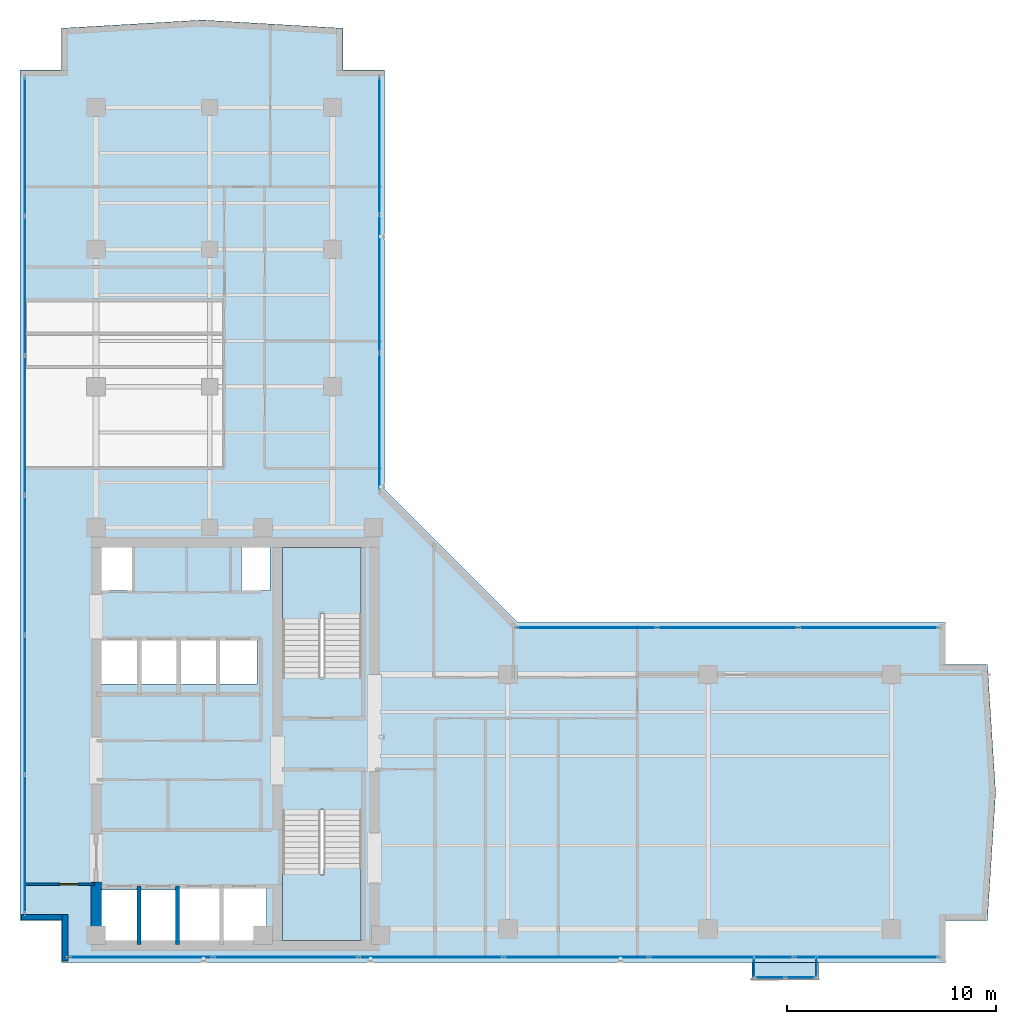
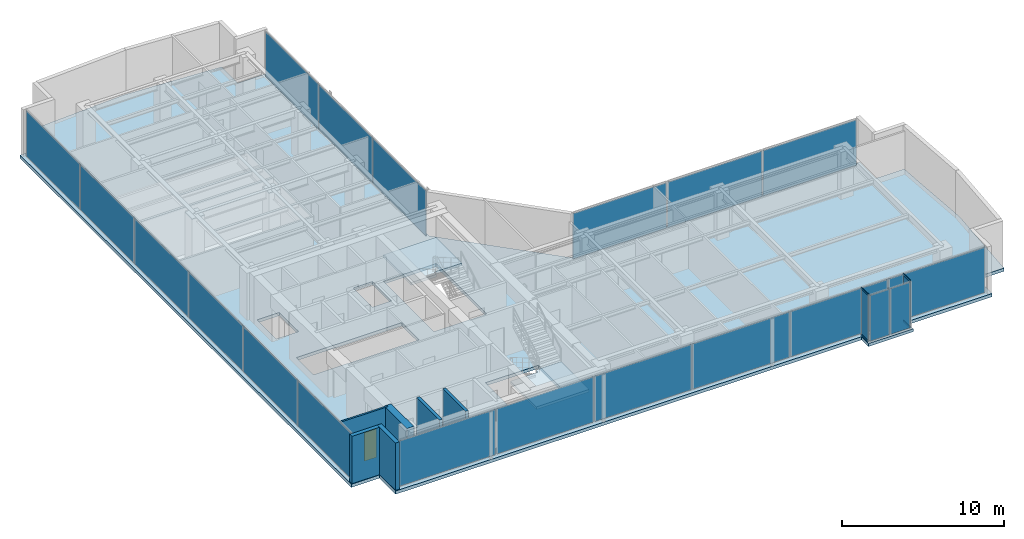
# One storey, part 15 of 23: 22 plates, 6 walls, 4 members, 4 slabs, 1 door, 1 opening, 9 elements without a shape of their own.
"""IFC4 building model written with IfcOpenShell, lengths in metres."""

from ifc_helpers import new_model, si_unit, direction, frame, frame_2d, origin, origin_with_axes, origin_2d, place, context, subcontext, project, spatial, polyline, rectangle, hollow_rectangle, outline, extrude, source, transform, mapped, material, layer, layer_set, material_profile, profile_set, type_object, element, fill, aggregate, save


model = new_model("IFC4")

# Units and contexts
model_context = context("Model", 3, precision=1e-05, world=origin(), true_north=direction((0.0, 1.0)))
body_context = subcontext(model_context, "Body", "Model", "MODEL_VIEW")
ifc_project = project(units=[si_unit("LENGTHUNIT", "METRE"), si_unit("AREAUNIT", "SQUARE_METRE"), si_unit("VOLUMEUNIT", "CUBIC_METRE"), si_unit("PLANEANGLEUNIT", "RADIAN"), si_unit("MASSUNIT", "GRAM", prefix="KILO")], contexts=[model_context])

# Site, building, storey
site_placement = place(None, origin())
site = spatial("IfcSite", under=ifc_project, at=site_placement, CompositionType="ELEMENT")
building_placement = place(site_placement, origin())
building = spatial("IfcBuilding", under=site, at=building_placement, Name="Kolvaren Waterfront Exchange", CompositionType="ELEMENT")
storey_placement = place(building_placement, frame((0.0, 0.0, 304.60009765625)))
storey = spatial("IfcBuildingStorey", under=building, at=storey_placement, Name="L78", CompositionType="ELEMENT", Elevation=304.60009765625)

# Curtain wall, members
ifc_material_1 = material(Name="Anodised bronze aluminium 6063-T6", Category="aluminium")
ifc_layer_1 = layer(ifc_material_1, 0.219970703125, Name="Anodised bronze aluminium 6063-T6")
ifc_layer_set_1 = layer_set([ifc_layer_1], Name="Anodised bronze aluminium 6063-T6")
curtain_wall_type_1 = type_object("IfcCurtainWallType", Name="ARC-CW-SYS3", PredefinedType="USERDEFINED", material=ifc_layer_set_1)
curtain_wall_1_placement = place(storey_placement, origin())
curtain_wall_1 = element("IfcCurtainWall", 1, at=curtain_wall_1_placement, inside=storey, type_object=curtain_wall_type_1, Name="L78 stick curtain wall CW3 (CW-L78-BOX-W)", ObjectType="STICK CURTAIN WALL", PredefinedType="USERDEFINED")
ifc_material_profile = material_profile(ifc_material_1, hollow_rectangle(XDim=0.06494140625, YDim=0.1298828125, WallThickness=0.00390625, at=origin_2d()), Name="ALU-TRN-130x65x4")
ifc_profile_set = profile_set([ifc_material_profile], Name="Anodised bronze aluminium 6063-T6")
member_type = type_object("IfcMemberType", Name="ARC-CWT-130", PredefinedType="USERDEFINED", material=ifc_profile_set)
shared_shape_1 = source(origin_with_axes(), body_context, "Body", "SweptSolid", [
    extrude(hollow_rectangle(XDim=0.06494140625, YDim=0.1298828125, WallThickness=0.00390625, at=origin_2d()), origin(), (0.0, 0.0, 1.0), 0.829833984375),
])
member_1_placement = place(storey_placement, frame((39.010009765625, 3.764892578125, 0.032470703125), z_axis=(0.0, -1.0, 0.0), x_axis=(1.0, 0.0, 0.0)))
member_1 = element("IfcMember", 2, at=member_1_placement, type_object=member_type, Name="CW3 transom 1.1", ObjectType="TRANSOM", PredefinedType="USERDEFINED", context=body_context, shape_type="MappedRepresentation", body=[
    mapped(shared_shape_1, transform((0.0, 0.0, 0.0), x_axis=(1.0, 0.0, 0.0), y_axis=(0.0, 1.0, 0.0), z_axis=(0.0, 0.0, 1.0), scale=1.0)),
])
member_2_placement = place(storey_placement, frame((39.010009765625, 3.764892578125, 3.52734375), z_axis=(0.0, -1.0, 0.0), x_axis=(1.0, 0.0, 0.0)))
member_2 = element("IfcMember", 3, at=member_2_placement, type_object=member_type, Name="CW3 transom 1.2", ObjectType="TRANSOM", PredefinedType="USERDEFINED", context=body_context, shape_type="MappedRepresentation", body=[
    mapped(shared_shape_1, transform((0.0, 0.0, 0.0), x_axis=(1.0, 0.0, 0.0), y_axis=(0.0, 1.0, 0.0), z_axis=(0.0, 0.0, 1.0), scale=1.0)),
])

curtain_wall_2_placement = place(storey_placement, origin())
curtain_wall_2 = element("IfcCurtainWall", 4, at=curtain_wall_2_placement, inside=storey, type_object=curtain_wall_type_1, Name="L78 stick curtain wall CW3 (CW-L78-BOX-E)", ObjectType="STICK CURTAIN WALL", PredefinedType="USERDEFINED")
member_3_placement = place(storey_placement, frame((41.989990234375, 2.93505859375, 0.032470703125), z_axis=(0.0, 1.0, 0.0), x_axis=(-1.0, 0.0, 0.0)))
member_3 = element("IfcMember", 5, at=member_3_placement, type_object=member_type, Name="CW3 transom 1.1", ObjectType="TRANSOM", PredefinedType="USERDEFINED", context=body_context, shape_type="MappedRepresentation", body=[
    mapped(shared_shape_1, transform((0.0, 0.0, 0.0), x_axis=(1.0, 0.0, 0.0), y_axis=(0.0, 1.0, 0.0), z_axis=(0.0, 0.0, 1.0), scale=1.0)),
])
member_4_placement = place(storey_placement, frame((41.989990234375, 2.93505859375, 3.52734375), z_axis=(0.0, 1.0, 0.0), x_axis=(-1.0, 0.0, 0.0)))
member_4 = element("IfcMember", 6, at=member_4_placement, type_object=member_type, Name="CW3 transom 1.2", ObjectType="TRANSOM", PredefinedType="USERDEFINED", context=body_context, shape_type="MappedRepresentation", body=[
    mapped(shared_shape_1, transform((0.0, 0.0, 0.0), x_axis=(1.0, 0.0, 0.0), y_axis=(0.0, 1.0, 0.0), z_axis=(0.0, 0.0, 1.0), scale=1.0)),
])

# Stair, slab
ifc_material_2 = material(Name="Concrete C40/50", Category="concrete")
stair_type = type_object("IfcStairType", Name="ARC-STAIR-3800", PredefinedType="HALF_TURN_STAIR", material=ifc_material_2)
stair_1_placement = place(storey_placement, origin())
stair_1 = element("IfcStair", 7, at=stair_1_placement, inside=storey, type_object=stair_type, Name="L78 Smoke-proof exit stair ST1", PredefinedType="HALF_TURN_STAIR")
ifc_layer_2 = layer(ifc_material_2, 0.199951171875, Name="Concrete C40/50")
ifc_layer_set_2 = layer_set([ifc_layer_2], Name="Concrete C40/50")
slab_type_1 = type_object("IfcSlabType", Name="STR-LANDING-200", PredefinedType="LANDING", material=ifc_layer_set_2)
slab_1_placement = place(storey_placement, frame((0.0, 0.0, 1.77587890625)))
slab_1 = element("IfcSlab", 8, at=slab_1_placement, type_object=slab_type_1, Name="ST1 landing 1", PredefinedType="LANDING", context=body_context, shape_type="SweptSolid", body=[
    extrude(outline(polyline([(16.39990234375, 7.840087890625), (16.39990234375, 4.64990234375), (20.159912109375, 4.64990234375), (20.159912109375, 8.10009765625), (18.360107421875, 8.10009765625), (18.360107421875, 7.840087890625), (16.39990234375, 7.840087890625)])), origin(), (0.0, 0.0, 1.0), 0.199951171875),
])
aggregate(stair_1, [slab_1])

stair_2_placement = place(storey_placement, origin())
stair_2 = element("IfcStair", 9, at=stair_2_placement, inside=storey, type_object=stair_type, Name="L78 Smoke-proof exit stair ST2", PredefinedType="HALF_TURN_STAIR")
slab_2_placement = place(storey_placement, frame((0.0, 0.0, 1.77587890625)))
slab_2 = element("IfcSlab", 10, at=slab_2_placement, type_object=slab_type_1, Name="ST2 landing 1", PredefinedType="LANDING", context=body_context, shape_type="SweptSolid", body=[
    extrude(outline(polyline([(20.159912109375, 20.31005859375), (20.159912109375, 23.5), (16.39990234375, 23.5), (16.39990234375, 20.050048828125), (18.199951171875, 20.050048828125), (18.199951171875, 20.31005859375), (20.159912109375, 20.31005859375)])), origin(), (0.0, 0.0, 1.0), 0.199951171875),
])
aggregate(stair_2, [slab_2])

# Slabs
ifc_layer_3 = layer(ifc_material_2, 0.239990234375, Name="Concrete C40/50")
ifc_layer_set_3 = layer_set([ifc_layer_3], Name="Concrete C40/50")
slab_type_2 = type_object("IfcSlabType", Name="STR-SLAB-240", PredefinedType="FLOOR", material=ifc_layer_set_3)
slab_3_placement = place(storey_placement, frame((0.0, 0.0, -0.239990234375)))
element("IfcSlab", 11, at=slab_3_placement, inside=storey, type_object=slab_type_2, Name="L78 structural floor slab", PredefinedType="FLOOR", context=body_context, shape_type="SweptSolid", body=[
    extrude(outline(polyline([(5.800048828125, 3.60009765625), (48.194580078125, 3.60009765625), (48.194580078125, 5.60009765625), (50.194580078125, 5.60009765625), (50.58935546875, 11.7421875), (50.194580078125, 17.88427734375), (48.194580078125, 17.88427734375), (48.194580078125, 19.88427734375), (27.68408203125, 19.88427734375), (21.2841796875, 26.2841796875), (21.2841796875, 46.394775390625), (19.2841796875, 46.394775390625), (19.2841796875, 48.394775390625), (12.5419921875, 48.789306640625), (5.800048828125, 48.394775390625), (5.800048828125, 46.394775390625), (3.800048828125, 46.394775390625), (3.800048828125, 5.60009765625), (5.800048828125, 5.60009765625), (5.800048828125, 3.60009765625)]), holes=[polyline([(11.320068359375, 7.260009765625), (15.610107421875, 7.260009765625), (15.610107421875, 4.5400390625), (7.719970703125, 4.5400390625), (7.719970703125, 7.06005859375), (11.320068359375, 7.06005859375), (11.320068359375, 7.260009765625)]), polyline([(20.159912109375, 10.89990234375), (20.159912109375, 4.64990234375), (16.39990234375, 4.64990234375), (16.39990234375, 10.89990234375), (20.159912109375, 10.89990234375)]), polyline([(7.669921875, 19.06005859375), (15.159912109375, 19.06005859375), (15.159912109375, 16.93994140625), (7.669921875, 16.93994140625), (7.669921875, 19.06005859375)]), polyline([(16.39990234375, 17.25), (16.39990234375, 23.5), (20.159912109375, 23.5), (20.159912109375, 17.25), (16.39990234375, 17.25)]), polyline([(7.60009765625, 23.780029296875), (9.179931640625, 23.780029296875), (9.179931640625, 21.419921875), (7.60009765625, 21.419921875), (7.60009765625, 23.780029296875)]), polyline([(14.419921875, 23.780029296875), (15.800048828125, 23.780029296875), (15.800048828125, 21.419921875), (14.419921875, 21.419921875), (14.419921875, 23.780029296875)])]), origin(), (0.0, 0.0, 1.0), 0.239990234375),
])
ifc_layer_4 = layer(ifc_material_2, 0.219970703125, Name="Concrete C40/50")
ifc_layer_set_4 = layer_set([ifc_layer_4], Name="Concrete C40/50")
slab_type_3 = type_object("IfcSlabType", Name="STR-TERR-220", PredefinedType="FLOOR", material=ifc_layer_set_4)
slab_4_placement = place(storey_placement, frame((0.0, 0.0, -0.22021484375)))
element("IfcSlab", 12, at=slab_4_placement, inside=storey, type_object=slab_type_3, Name="L78 projecting bay-box floor strip", PredefinedType="FLOOR", context=body_context, shape_type="SweptSolid", body=[
    extrude(outline(polyline([(38.89990234375, 2.75), (42.10009765625, 2.75), (42.10009765625, 3.60009765625), (38.89990234375, 3.60009765625), (38.89990234375, 2.75)])), origin(), (0.0, 0.0, 1.0), 0.22021484375),
])

# Plate
ifc_material_3 = material(Name="Bronze tinted bay-box vision glass", Category="aluminium")
ifc_layer_5 = layer(ifc_material_3, 0.02392578125, Name="Bronze tinted bay-box vision glass")
ifc_layer_set_5 = layer_set([ifc_layer_5], Name="Bronze tinted bay-box vision glass")
plate_type_1 = type_object("IfcPlateType", Name="ARC-CWP-24", PredefinedType="CURTAIN_PANEL", material=ifc_layer_set_5)
shared_shape_2 = source(origin_with_axes(), body_context, "Body", "SweptSolid", [
    extrude(rectangle(XDim=0.830078125, YDim=0.02392578125, at=origin_2d()), origin(), (0.0, 0.0, 1.0), 3.429931640625),
])
plate_1_placement = place(storey_placement, frame((39.010009765625, 3.35009765625, 0.06494140625), z_axis=(0.0, 0.0, 1.0), x_axis=(0.0, -1.0, 0.0)))
plate_1 = element("IfcPlate", 13, at=plate_1_placement, type_object=plate_type_1, Name="CW3 panel 1.1", PredefinedType="CURTAIN_PANEL", context=body_context, shape_type="MappedRepresentation", body=[
    mapped(shared_shape_2, transform((0.0, 0.0, 0.0), x_axis=(1.0, 0.0, 0.0), y_axis=(0.0, 1.0, 0.0), z_axis=(0.0, 0.0, 1.0), scale=1.0)),
])

aggregate(curtain_wall_1, [member_1, member_2, plate_1])

plate_2_placement = place(storey_placement, frame((41.989990234375, 3.35009765625, 0.06494140625), z_axis=(0.0, 0.0, 1.0), x_axis=(0.0, 1.0, 0.0)))
plate_2 = element("IfcPlate", 14, at=plate_2_placement, type_object=plate_type_1, Name="CW3 panel 1.1", PredefinedType="CURTAIN_PANEL", context=body_context, shape_type="MappedRepresentation", body=[
    mapped(shared_shape_2, transform((0.0, 0.0, 0.0), x_axis=(1.0, 0.0, 0.0), y_axis=(0.0, 1.0, 0.0), z_axis=(0.0, 0.0, 1.0), scale=1.0)),
])

aggregate(curtain_wall_2, [member_3, member_4, plate_2])

# Curtain wall, plates
curtain_wall_3_placement = place(storey_placement, origin())
curtain_wall_3 = element("IfcCurtainWall", 15, at=curtain_wall_3_placement, inside=storey, type_object=curtain_wall_type_1, Name="L78 stick curtain wall CW3 (CW-L78-BOX)", ObjectType="STICK CURTAIN WALL", PredefinedType="USERDEFINED")
shared_shape_3 = source(origin_with_axes(), body_context, "Body", "SweptSolid", [
    extrude(rectangle(XDim=1.37744140625, YDim=0.02392578125, at=origin_2d()), origin(), (0.0, 0.0, 1.0), 3.429931640625),
])
plate_3_placement = place(storey_placement, frame((39.773681640625, 2.860107421875, 0.06494140625), z_axis=(0.0, 0.0, 1.0), x_axis=(1.0, 0.0, 0.0)))
plate_3 = element("IfcPlate", 16, at=plate_3_placement, type_object=plate_type_1, Name="CW3 panel 1.1", PredefinedType="CURTAIN_PANEL", context=body_context, shape_type="MappedRepresentation", body=[
    mapped(shared_shape_3, transform((0.0, 0.0, 0.0), x_axis=(1.0, 0.0, 0.0), y_axis=(0.0, 1.0, 0.0), z_axis=(0.0, 0.0, 1.0), scale=1.0)),
])
plate_4_placement = place(storey_placement, frame((41.226318359375, 2.860107421875, 0.06494140625), z_axis=(0.0, 0.0, 1.0), x_axis=(1.0, 0.0, 0.0)))
plate_4 = element("IfcPlate", 17, at=plate_4_placement, type_object=plate_type_1, Name="CW3 panel 2.1", PredefinedType="CURTAIN_PANEL", context=body_context, shape_type="MappedRepresentation", body=[
    mapped(shared_shape_3, transform((0.0, 0.0, 0.0), x_axis=(1.0, 0.0, 0.0), y_axis=(0.0, 1.0, 0.0), z_axis=(0.0, 0.0, 1.0), scale=1.0)),
])
aggregate(curtain_wall_3, [plate_3, plate_4])

ifc_layer_6 = layer(ifc_material_1, 0.219970703125, Name="Anodised bronze aluminium 6063-T6")
ifc_layer_set_6 = layer_set([ifc_layer_6], Name="Anodised bronze aluminium 6063-T6")
curtain_wall_type_2 = type_object("IfcCurtainWallType", Name="ARC-CW-SYS1", PredefinedType="USERDEFINED", material=ifc_layer_set_6)
curtain_wall_4_placement = place(storey_placement, origin())
curtain_wall_4 = element("IfcCurtainWall", 18, at=curtain_wall_4_placement, inside=storey, type_object=curtain_wall_type_2, Name="L78 stick curtain wall CW1 (CW-L78-S)", ObjectType="STICK CURTAIN WALL", PredefinedType="USERDEFINED")
ifc_material_4 = material(Name="Bronze solar control vision glass", Category="aluminium")
ifc_layer_7 = layer(ifc_material_4, 0.028076171875, Name="Bronze solar control vision glass")
ifc_layer_set_7 = layer_set([ifc_layer_7], Name="Bronze solar control vision glass")
plate_type_2 = type_object("IfcPlateType", Name="ARC-CWP-28", PredefinedType="CURTAIN_PANEL", material=ifc_layer_set_7)
shared_shape_4 = source(origin_with_axes(), body_context, "Body", "SweptSolid", [
    extrude(rectangle(XDim=6.845703125, YDim=0.028076171875, at=origin_2d()), origin(), (0.0, 0.0, 1.0), 3.409912109375),
])
plate_5_placement = place(storey_placement, frame((9.602783203125, 3.840087890625, 0.07470703125), z_axis=(0.0, 0.0, 1.0), x_axis=(1.0, 0.0, 0.0)))
plate_5 = element("IfcPlate", 19, at=plate_5_placement, type_object=plate_type_2, Name="CW1 panel 1.1", PredefinedType="CURTAIN_PANEL", context=body_context, shape_type="MappedRepresentation", body=[
    mapped(shared_shape_4, transform((0.0, 0.0, 0.0), x_axis=(1.0, 0.0, 0.0), y_axis=(0.0, 1.0, 0.0), z_axis=(0.0, 0.0, 1.0), scale=1.0)),
])
plate_6_placement = place(storey_placement, frame((44.391845703125, 3.840087890625, 0.07470703125), z_axis=(0.0, 0.0, 1.0), x_axis=(1.0, 0.0, 0.0)))
plate_6 = element("IfcPlate", 20, at=plate_6_placement, type_object=plate_type_2, Name="CW1 panel 6.1", PredefinedType="CURTAIN_PANEL", context=body_context, shape_type="MappedRepresentation", body=[
    mapped(shared_shape_4, transform((0.0, 0.0, 0.0), x_axis=(1.0, 0.0, 0.0), y_axis=(0.0, 1.0, 0.0), z_axis=(0.0, 0.0, 1.0), scale=1.0)),
])
shared_shape_5 = source(origin_with_axes(), body_context, "Body", "SweptSolid", [
    extrude(rectangle(XDim=6.8857421875, YDim=0.028076171875, at=origin_2d()), origin(), (0.0, 0.0, 1.0), 3.409912109375),
])
plate_7_placement = place(storey_placement, frame((16.548583984375, 3.840087890625, 0.07470703125), z_axis=(0.0, 0.0, 1.0), x_axis=(1.0, 0.0, 0.0)))
plate_7 = element("IfcPlate", 21, at=plate_7_placement, type_object=plate_type_2, Name="CW1 panel 2.1", PredefinedType="CURTAIN_PANEL", context=body_context, shape_type="MappedRepresentation", body=[
    mapped(shared_shape_5, transform((0.0, 0.0, 0.0), x_axis=(1.0, 0.0, 0.0), y_axis=(0.0, 1.0, 0.0), z_axis=(0.0, 0.0, 1.0), scale=1.0)),
])
plate_8_placement = place(storey_placement, frame((23.514404296875, 3.840087890625, 0.07470703125), z_axis=(0.0, 0.0, 1.0), x_axis=(1.0, 0.0, 0.0)))
plate_8 = element("IfcPlate", 22, at=plate_8_placement, type_object=plate_type_2, Name="CW1 panel 3.1", PredefinedType="CURTAIN_PANEL", context=body_context, shape_type="MappedRepresentation", body=[
    mapped(shared_shape_5, transform((0.0, 0.0, 0.0), x_axis=(1.0, 0.0, 0.0), y_axis=(0.0, 1.0, 0.0), z_axis=(0.0, 0.0, 1.0), scale=1.0)),
])
plate_9_placement = place(storey_placement, frame((30.480224609375, 3.840087890625, 0.07470703125), z_axis=(0.0, 0.0, 1.0), x_axis=(1.0, 0.0, 0.0)))
plate_9 = element("IfcPlate", 23, at=plate_9_placement, type_object=plate_type_2, Name="CW1 panel 4.1", PredefinedType="CURTAIN_PANEL", context=body_context, shape_type="MappedRepresentation", body=[
    mapped(shared_shape_5, transform((0.0, 0.0, 0.0), x_axis=(1.0, 0.0, 0.0), y_axis=(0.0, 1.0, 0.0), z_axis=(0.0, 0.0, 1.0), scale=1.0)),
])
plate_10_placement = place(storey_placement, frame((37.446044921875, 3.840087890625, 0.07470703125), z_axis=(0.0, 0.0, 1.0), x_axis=(1.0, 0.0, 0.0)))
plate_10 = element("IfcPlate", 24, at=plate_10_placement, type_object=plate_type_2, Name="CW1 panel 5.1", PredefinedType="CURTAIN_PANEL", context=body_context, shape_type="MappedRepresentation", body=[
    mapped(shared_shape_5, transform((0.0, 0.0, 0.0), x_axis=(1.0, 0.0, 0.0), y_axis=(0.0, 1.0, 0.0), z_axis=(0.0, 0.0, 1.0), scale=1.0)),
])
aggregate(curtain_wall_4, [plate_5, plate_7, plate_8, plate_9, plate_10, plate_6])

ifc_material_5 = material(Name="Anodised aluminium 6063-T6", Category="aluminium")
ifc_layer_8 = layer(ifc_material_5, 0.219970703125, Name="Anodised aluminium 6063-T6")
ifc_layer_set_8 = layer_set([ifc_layer_8], Name="Anodised aluminium 6063-T6")
curtain_wall_type_3 = type_object("IfcCurtainWallType", Name="ARC-CW-SYS2", PredefinedType="USERDEFINED", material=ifc_layer_set_8)
curtain_wall_5_placement = place(storey_placement, origin())
curtain_wall_5 = element("IfcCurtainWall", 25, at=curtain_wall_5_placement, inside=storey, type_object=curtain_wall_type_3, Name="L78 stick curtain wall CW2 (CW-L78-W)", ObjectType="STICK CURTAIN WALL", PredefinedType="USERDEFINED")
ifc_material_6 = material(Name="Acoustic laminated vision glass", Category="glass")
ifc_layer_9 = layer(ifc_material_6, 0.031982421875, Name="Acoustic laminated vision glass")
ifc_layer_set_9 = layer_set([ifc_layer_9], Name="Acoustic laminated vision glass")
plate_type_3 = type_object("IfcPlateType", Name="ARC-CWP-32", PredefinedType="CURTAIN_PANEL", material=ifc_layer_set_9)
shared_shape_6 = source(origin_with_axes(), body_context, "Body", "SweptSolid", [
    extrude(rectangle(XDim=6.5791015625, YDim=0.031982421875, at=origin_2d()), origin(), (0.0, 0.0, 1.0), 3.409912109375),
])
plate_11_placement = place(storey_placement, frame((4.0400390625, 9.26953125, 0.07470703125), z_axis=(0.0, 0.0, 1.0), x_axis=(0.0, 1.0, 0.0)))
plate_11 = element("IfcPlate", 26, at=plate_11_placement, type_object=plate_type_3, Name="CW2 panel 1.1", PredefinedType="CURTAIN_PANEL", context=body_context, shape_type="MappedRepresentation", body=[
    mapped(shared_shape_6, transform((0.0, 0.0, 0.0), x_axis=(1.0, 0.0, 0.0), y_axis=(0.0, 1.0, 0.0), z_axis=(0.0, 0.0, 1.0), scale=1.0)),
])
plate_12_placement = place(storey_placement, frame((4.0400390625, 42.72509765625, 0.07470703125), z_axis=(0.0, 0.0, 1.0), x_axis=(0.0, 1.0, 0.0)))
plate_12 = element("IfcPlate", 27, at=plate_12_placement, type_object=plate_type_3, Name="CW2 panel 6.1", PredefinedType="CURTAIN_PANEL", context=body_context, shape_type="MappedRepresentation", body=[
    mapped(shared_shape_6, transform((0.0, 0.0, 0.0), x_axis=(1.0, 0.0, 0.0), y_axis=(0.0, 1.0, 0.0), z_axis=(0.0, 0.0, 1.0), scale=1.0)),
])
shared_shape_7 = source(origin_with_axes(), body_context, "Body", "SweptSolid", [
    extrude(rectangle(XDim=6.619140625, YDim=0.031982421875, at=origin_2d()), origin(), (0.0, 0.0, 1.0), 3.409912109375),
])
plate_13_placement = place(storey_placement, frame((4.0400390625, 15.94873046875, 0.07470703125), z_axis=(0.0, 0.0, 1.0), x_axis=(0.0, 1.0, 0.0)))
plate_13 = element("IfcPlate", 28, at=plate_13_placement, type_object=plate_type_3, Name="CW2 panel 2.1", PredefinedType="CURTAIN_PANEL", context=body_context, shape_type="MappedRepresentation", body=[
    mapped(shared_shape_7, transform((0.0, 0.0, 0.0), x_axis=(1.0, 0.0, 0.0), y_axis=(0.0, 1.0, 0.0), z_axis=(0.0, 0.0, 1.0), scale=1.0)),
])
plate_14_placement = place(storey_placement, frame((4.0400390625, 22.647705078125, 0.07470703125), z_axis=(0.0, 0.0, 1.0), x_axis=(0.0, 1.0, 0.0)))
plate_14 = element("IfcPlate", 29, at=plate_14_placement, type_object=plate_type_3, Name="CW2 panel 3.1", PredefinedType="CURTAIN_PANEL", context=body_context, shape_type="MappedRepresentation", body=[
    mapped(shared_shape_7, transform((0.0, 0.0, 0.0), x_axis=(1.0, 0.0, 0.0), y_axis=(0.0, 1.0, 0.0), z_axis=(0.0, 0.0, 1.0), scale=1.0)),
])
plate_15_placement = place(storey_placement, frame((4.0400390625, 29.346923828125, 0.07470703125), z_axis=(0.0, 0.0, 1.0), x_axis=(0.0, 1.0, 0.0)))
plate_15 = element("IfcPlate", 30, at=plate_15_placement, type_object=plate_type_3, Name="CW2 panel 4.1", PredefinedType="CURTAIN_PANEL", context=body_context, shape_type="MappedRepresentation", body=[
    mapped(shared_shape_7, transform((0.0, 0.0, 0.0), x_axis=(1.0, 0.0, 0.0), y_axis=(0.0, 1.0, 0.0), z_axis=(0.0, 0.0, 1.0), scale=1.0)),
])
plate_16_placement = place(storey_placement, frame((4.0400390625, 36.046142578125, 0.07470703125), z_axis=(0.0, 0.0, 1.0), x_axis=(0.0, 1.0, 0.0)))
plate_16 = element("IfcPlate", 31, at=plate_16_placement, type_object=plate_type_3, Name="CW2 panel 5.1", PredefinedType="CURTAIN_PANEL", context=body_context, shape_type="MappedRepresentation", body=[
    mapped(shared_shape_7, transform((0.0, 0.0, 0.0), x_axis=(1.0, 0.0, 0.0), y_axis=(0.0, 1.0, 0.0), z_axis=(0.0, 0.0, 1.0), scale=1.0)),
])
aggregate(curtain_wall_5, [plate_11, plate_13, plate_14, plate_15, plate_16, plate_12])

curtain_wall_6_placement = place(storey_placement, origin())
curtain_wall_6 = element("IfcCurtainWall", 32, at=curtain_wall_6_placement, inside=storey, type_object=curtain_wall_type_2, Name="L78 stick curtain wall CW1 (CW-L78-NE)", ObjectType="STICK CURTAIN WALL", PredefinedType="USERDEFINED")
shared_shape_8 = source(origin_with_axes(), body_context, "Body", "SweptSolid", [
    extrude(rectangle(XDim=6.520263671875, YDim=0.028076171875, at=origin_2d()), origin(), (0.0, 0.0, 1.0), 3.409912109375),
])
plate_17_placement = place(storey_placement, frame((21.044189453125, 29.514404296875, 0.07470703125), z_axis=(0.0, 0.0, 1.0), x_axis=(0.0, 1.0, 0.0)))
plate_17 = element("IfcPlate", 33, at=plate_17_placement, type_object=plate_type_2, Name="CW1 panel 1.1", PredefinedType="CURTAIN_PANEL", context=body_context, shape_type="MappedRepresentation", body=[
    mapped(shared_shape_8, transform((0.0, 0.0, 0.0), x_axis=(1.0, 0.0, 0.0), y_axis=(0.0, 1.0, 0.0), z_axis=(0.0, 0.0, 1.0), scale=1.0)),
])
plate_18_placement = place(storey_placement, frame((21.044189453125, 42.754638671875, 0.07470703125), z_axis=(0.0, 0.0, 1.0), x_axis=(0.0, 1.0, 0.0)))
plate_18 = element("IfcPlate", 34, at=plate_18_placement, type_object=plate_type_2, Name="CW1 panel 3.1", PredefinedType="CURTAIN_PANEL", context=body_context, shape_type="MappedRepresentation", body=[
    mapped(shared_shape_8, transform((0.0, 0.0, 0.0), x_axis=(1.0, 0.0, 0.0), y_axis=(0.0, 1.0, 0.0), z_axis=(0.0, 0.0, 1.0), scale=1.0)),
])
shared_shape_9 = source(origin_with_axes(), body_context, "Body", "SweptSolid", [
    extrude(rectangle(XDim=6.56005859375, YDim=0.028076171875, at=origin_2d()), origin(), (0.0, 0.0, 1.0), 3.409912109375),
])
plate_19_placement = place(storey_placement, frame((21.044189453125, 36.134521484375, 0.07470703125), z_axis=(0.0, 0.0, 1.0), x_axis=(0.0, 1.0, 0.0)))
plate_19 = element("IfcPlate", 35, at=plate_19_placement, type_object=plate_type_2, Name="CW1 panel 2.1", PredefinedType="CURTAIN_PANEL", context=body_context, shape_type="MappedRepresentation", body=[
    mapped(shared_shape_9, transform((0.0, 0.0, 0.0), x_axis=(1.0, 0.0, 0.0), y_axis=(0.0, 1.0, 0.0), z_axis=(0.0, 0.0, 1.0), scale=1.0)),
])
aggregate(curtain_wall_6, [plate_17, plate_19, plate_18])

curtain_wall_7_placement = place(storey_placement, origin())
curtain_wall_7 = element("IfcCurtainWall", 36, at=curtain_wall_7_placement, inside=storey, type_object=curtain_wall_type_2, Name="L78 stick curtain wall CW1 (CW-L78-EN)", ObjectType="STICK CURTAIN WALL", PredefinedType="USERDEFINED")
shared_shape_10 = source(origin_with_axes(), body_context, "Body", "SweptSolid", [
    extrude(rectangle(XDim=6.653564453125, YDim=0.028076171875, at=origin_2d()), origin(), (0.0, 0.0, 1.0), 3.409912109375),
])
plate_20_placement = place(storey_placement, frame((30.98095703125, 19.644287109375, 0.07470703125), z_axis=(0.0, 0.0, 1.0), x_axis=(1.0, 0.0, 0.0)))
plate_20 = element("IfcPlate", 37, at=plate_20_placement, type_object=plate_type_2, Name="CW1 panel 1.1", PredefinedType="CURTAIN_PANEL", context=body_context, shape_type="MappedRepresentation", body=[
    mapped(shared_shape_10, transform((0.0, 0.0, 0.0), x_axis=(1.0, 0.0, 0.0), y_axis=(0.0, 1.0, 0.0), z_axis=(0.0, 0.0, 1.0), scale=1.0)),
])
plate_21_placement = place(storey_placement, frame((44.488037109375, 19.644287109375, 0.07470703125), z_axis=(0.0, 0.0, 1.0), x_axis=(1.0, 0.0, 0.0)))
plate_21 = element("IfcPlate", 38, at=plate_21_placement, type_object=plate_type_2, Name="CW1 panel 3.1", PredefinedType="CURTAIN_PANEL", context=body_context, shape_type="MappedRepresentation", body=[
    mapped(shared_shape_10, transform((0.0, 0.0, 0.0), x_axis=(1.0, 0.0, 0.0), y_axis=(0.0, 1.0, 0.0), z_axis=(0.0, 0.0, 1.0), scale=1.0)),
])
shared_shape_11 = source(origin_with_axes(), body_context, "Body", "SweptSolid", [
    extrude(rectangle(XDim=6.693603515625, YDim=0.028076171875, at=origin_2d()), origin(), (0.0, 0.0, 1.0), 3.409912109375),
])
plate_22_placement = place(storey_placement, frame((37.734375, 19.644287109375, 0.07470703125), z_axis=(0.0, 0.0, 1.0), x_axis=(1.0, 0.0, 0.0)))
plate_22 = element("IfcPlate", 39, at=plate_22_placement, type_object=plate_type_2, Name="CW1 panel 2.1", PredefinedType="CURTAIN_PANEL", context=body_context, shape_type="MappedRepresentation", body=[
    mapped(shared_shape_11, transform((0.0, 0.0, 0.0), x_axis=(1.0, 0.0, 0.0), y_axis=(0.0, 1.0, 0.0), z_axis=(0.0, 0.0, 1.0), scale=1.0)),
])
aggregate(curtain_wall_7, [plate_20, plate_22, plate_21])

# Walls
ifc_material_7 = material(Name="Precast concrete C40/50", Category="concrete")
ifc_layer_10 = layer(ifc_material_7, 0.280029296875, Name="Precast concrete C40/50")
ifc_layer_set_10 = layer_set([ifc_layer_10], Name="Precast concrete C40/50")
wall_type_1 = type_object("IfcWallType", Name="ARC-EXT-TERR-280", PredefinedType="SOLIDWALL", material=ifc_layer_set_10)
wall_1_placement = place(storey_placement, frame((5.9599609375, 3.659912109375, 0.0), z_axis=(0.0, 0.0, 1.0), x_axis=(0.0, 1.0, 0.0)))
element("IfcWall", 40, at=wall_1_placement, inside=storey, type_object=wall_type_1, Name="L78 notched corner spandrel pier SW-A", PredefinedType="SOLIDWALL", context=body_context, shape_type="SweptSolid", body=[
    extrude(rectangle(XDim=2.239990234375, YDim=0.280029296875, at=frame_2d((1.1201171875, 0.0))), origin(), (0.0, 0.0, 1.0), 3.559814453125),
])
wall_2_placement = place(storey_placement, frame((3.860107421875, 5.760009765625, 0.0), z_axis=(0.0, 0.0, 1.0), x_axis=(1.0, 0.0, 0.0)))
element("IfcWall", 41, at=wall_2_placement, inside=storey, type_object=wall_type_1, Name="L78 notched corner spandrel pier SW-B", PredefinedType="SOLIDWALL", context=body_context, shape_type="SweptSolid", body=[
    extrude(rectangle(XDim=1.9599609375, YDim=0.280029296875, at=frame_2d((0.97998046875, 0.0))), origin(), (0.0, 0.0, 1.0), 3.559814453125),
])

# Wall, opening, door
ifc_material_8 = material(Name="Acoustic gypsum steel stud", Category="steel")
ifc_layer_11 = layer(ifc_material_8, 0.125, Name="Acoustic gypsum steel stud")
ifc_layer_set_11 = layer_set([ifc_layer_11], Name="Acoustic gypsum steel stud")
wall_type_2 = type_object("IfcWallType", Name="ARC-PART-125", PredefinedType="PARTITIONING", material=ifc_layer_set_11)
wall_3_placement = place(storey_placement, frame((4.0400390625, 7.35009765625, 0.0), z_axis=(0.0, 0.0, 1.0), x_axis=(1.0, 0.0, 0.0)))
wall_3 = element("IfcWall", 42, at=wall_3_placement, inside=storey, type_object=wall_type_2, Name="L78 interior wall PW-L78-SWC-N", PredefinedType="PARTITIONING", context=body_context, shape_type="SweptSolid", body=[
    extrude(rectangle(XDim=3.35986328125, YDim=0.125, at=frame_2d((1.679931640625, 0.0))), origin(), (0.0, 0.0, 1.0), 3.559814453125),
])
opening_placement = place(wall_3_placement, frame((1.686767578125, 0.0, 0.0)))
opening = element("IfcOpeningElement", 43, at=opening_placement, cuts=wall_3, Name="Opening D01", PredefinedType="OPENING", context=body_context, shape_type="SweptSolid", body=[
    extrude(rectangle(XDim=0.85009765625, YDim=2.14990234375, at=frame_2d((0.425048828125, 1.074951171875))), frame((0.0, 0.072509765625, 0.0), z_axis=(0.0, -1.0, 0.0), x_axis=(1.0, 0.0, 0.0)), (0.0, 0.0, 1.0), 0.14501953125),
])
ifc_material_9 = material(Name="Oak veneer timber leaf", Category="wood")
door_type = type_object("IfcDoorType", Name="ARC-DR-900", OperationType="NOTDEFINED", PredefinedType="DOOR", material=ifc_material_9)
door_placement = place(opening_placement, origin())
door = element("IfcDoor", 44, at=door_placement, inside=storey, type_object=door_type, Name="L78 door DR-L78-SWC-D (D01)", OperationType="SINGLE_SWING_RIGHT", OverallHeight=2.14990234375, OverallWidth=0.85009765625, PredefinedType="DOOR", context=body_context, shape_type="SweptSolid", body=[
    extrude(rectangle(XDim=0.85009765625, YDim=2.14990234375, at=frame_2d((0.425048828125, 1.074951171875))), frame((0.0, 0.02490234375, 0.0), z_axis=(0.0, -1.0, 0.0), x_axis=(1.0, 0.0, 0.0)), (0.0, 0.0, 1.0), 0.050048828125),
])
fill(opening, door)

# Walls
ifc_layer_12 = layer(ifc_material_2, 0.199951171875, Name="Concrete C40/50")
ifc_layer_set_12 = layer_set([ifc_layer_12], Name="Concrete C40/50")
wall_type_3 = type_object("IfcWallType", Name="ARC-SHAFT-200", PredefinedType="PARTITIONING", material=ifc_layer_set_12)
for number, where, z_axis, x_axis, name in (
    (45, (9.5, 4.449951171875, 0.0), (0.0, 0.0, 1.0), (0.0, 1.0, 0.0), "L78 interior wall PW-L78-SH1-DIV-95"),
    (46, (11.360107421875, 4.449951171875, 0.0), (0.0, 0.0, 1.0), (0.0, 1.0, 0.0), "L78 interior wall PW-L78-SH1-DIV-113"),
):
    element("IfcWall", number, at=place(storey_placement, frame(where, z_axis=z_axis, x_axis=x_axis)), inside=storey, type_object=wall_type_3, Name=name, PredefinedType="PARTITIONING", context=body_context, shape_type="SweptSolid", body=[
        extrude(rectangle(XDim=2.800048828125, YDim=0.199951171875, at=frame_2d((1.39990234375, 0.0))), origin(), (0.0, 0.0, 1.0), 3.559814453125),
    ])
ifc_material_10 = material(Name="Concrete C50/60", Category="concrete")
ifc_layer_13 = layer(ifc_material_10, 0.5, Name="Concrete C50/60")
ifc_layer_set_13 = layer_set([ifc_layer_13], Name="Concrete C50/60")
wall_type_4 = type_object("IfcWallType", Name="STR-CWALL-500", PredefinedType="SHEAR", material=ifc_layer_set_13)
wall_4_placement = place(storey_placement, frame((7.449951171875, 4.64990234375, 0.0), z_axis=(0.0, 0.0, 1.0), x_axis=(0.0, 1.0, 0.0)))
element("IfcWall", 47, at=wall_4_placement, inside=storey, type_object=wall_type_4, Name="L78 rear-core shear wall W1", PredefinedType="SHEAR", context=body_context, shape_type="SweptSolid", body=[
    extrude(rectangle(XDim=2.800048828125, YDim=0.5, at=frame_2d((1.39990234375, 0.0))), origin(), (0.0, 0.0, 1.0), 3.559814453125),
])

save(model, "model.ifc")
